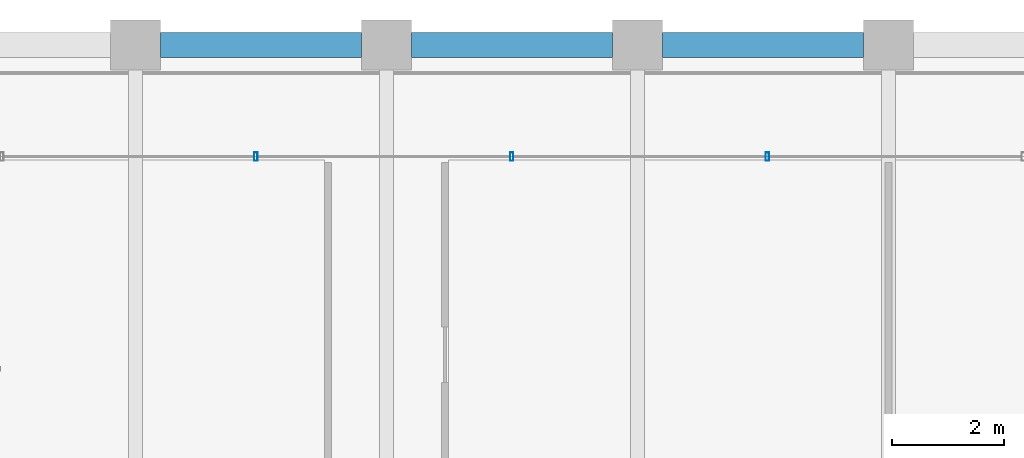
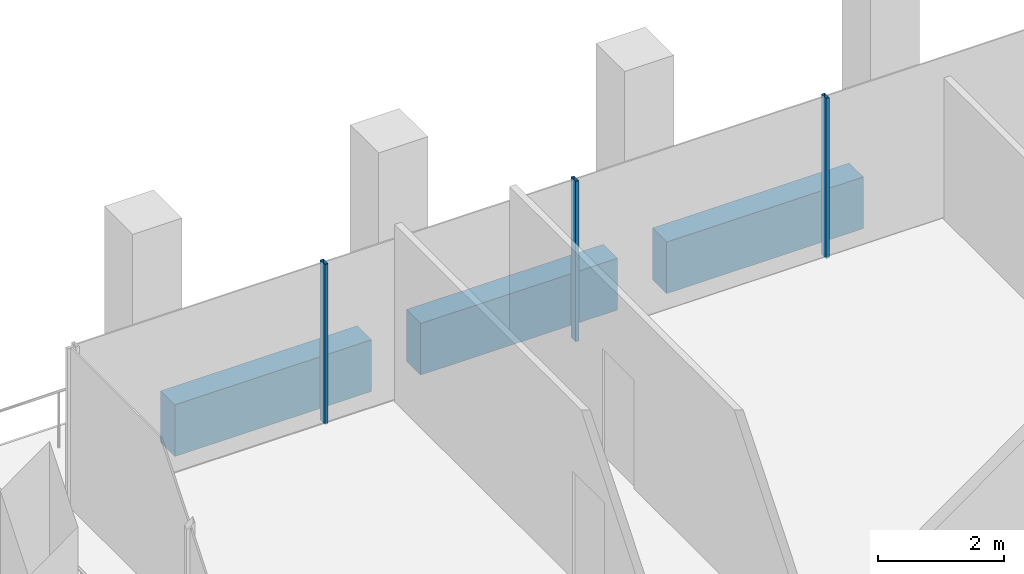
# One storey, part 23 of 40: 3 beams, 3 members, 1 element without a shape of its own.
"""IFC4 building model written with IfcOpenShell, lengths in metres."""

from ifc_helpers import new_model, si_unit, direction, frame, origin, origin_2d, place, context, subcontext, project, spatial, rectangle, hollow_rectangle, extrude, material, material_profile, profile_set, type_object, element, aggregate, save


model = new_model("IFC4")

# Units and contexts
model_context = context("Model", 3, precision=1e-05, world=origin(), true_north=direction((0.0, 1.0)))
body_context = subcontext(model_context, "Body", "Model", "MODEL_VIEW")
ifc_project = project(units=[si_unit("LENGTHUNIT", "METRE"), si_unit("AREAUNIT", "SQUARE_METRE"), si_unit("VOLUMEUNIT", "CUBIC_METRE"), si_unit("PLANEANGLEUNIT", "RADIAN"), si_unit("MASSUNIT", "GRAM", prefix="KILO")], contexts=[model_context])

# Site, building, storey
site_placement = place(None, origin())
site = spatial("IfcSite", under=ifc_project, at=site_placement, CompositionType="ELEMENT")
building_placement = place(site_placement, origin())
building = spatial("IfcBuilding", under=site, at=building_placement, Name="Altepetl Exchange Towers", CompositionType="ELEMENT")
storey_placement = place(building_placement, frame((0.0, 0.0, 183.39990234375)))
storey = spatial("IfcBuildingStorey", under=building, at=storey_placement, Name="L46", CompositionType="ELEMENT", Elevation=183.39990234375)

# Curtain wall, members
ifc_material_1 = material(Name="Aluminium 6063-T6 glazing", Category="aluminium")
curtain_wall_type = type_object("IfcCurtainWallType", Name="Loggia glazing system", PredefinedType="NOTDEFINED", material=ifc_material_1)
curtain_wall_placement = place(storey_placement, origin())
curtain_wall = element("IfcCurtainWall", 1, at=curtain_wall_placement, inside=storey, type_object=curtain_wall_type, Name="CW1 run", PredefinedType="NOTDEFINED")
ifc_material_2 = material(Name="Aluminium 6063-T6", Category="aluminium")
ifc_material_profile_1 = material_profile(ifc_material_2, hollow_rectangle(XDim=0.06005859375, YDim=0.14990234375, WallThickness=0.0029296875, at=origin_2d()), Name="Mullion 60x150 aluminium")
ifc_profile_set_1 = profile_set([ifc_material_profile_1], Name="Aluminium 6063-T6")
member_type = type_object("IfcMemberType", Name="Mullion 60x150 aluminium", PredefinedType="MULLION", material=ifc_profile_set_1)
member_1_placement = place(storey_placement, frame((56.330078125, 70.0, 0.0), z_axis=(0.0, 0.0, 1.0), x_axis=(-1.0, 0.0, 0.0)))
member_1 = element("IfcMember", 2, at=member_1_placement, type_object=member_type, Name="MU1 mullion", PredefinedType="MULLION", context=body_context, shape_type="SweptSolid", body=[
    extrude(hollow_rectangle(XDim=0.06005859375, YDim=0.14990234375, WallThickness=0.0029296875, at=origin_2d()), origin(), (0.0, 0.0, 1.0), 3.10009765625),
])
member_2_placement = place(storey_placement, frame((51.7451171875, 70.0, 0.0), z_axis=(0.0, 0.0, 1.0), x_axis=(-1.0, 0.0, 0.0)))
member_2 = element("IfcMember", 3, at=member_2_placement, type_object=member_type, Name="MU1 mullion", PredefinedType="MULLION", context=body_context, shape_type="SweptSolid", body=[
    extrude(hollow_rectangle(XDim=0.06005859375, YDim=0.14990234375, WallThickness=0.0029296875, at=origin_2d()), origin(), (0.0, 0.0, 1.0), 3.10009765625),
])
member_3_placement = place(storey_placement, frame((47.159912109375, 70.0, 0.0), z_axis=(0.0, 0.0, 1.0), x_axis=(-1.0, 0.0, 0.0)))
member_3 = element("IfcMember", 4, at=member_3_placement, type_object=member_type, Name="MU1 mullion", PredefinedType="MULLION", context=body_context, shape_type="SweptSolid", body=[
    extrude(hollow_rectangle(XDim=0.06005859375, YDim=0.14990234375, WallThickness=0.0029296875, at=origin_2d()), origin(), (0.0, 0.0, 1.0), 3.10009765625),
])
aggregate(curtain_wall, [member_1, member_2, member_3])

# Beams
ifc_material_3 = material(Name="Concrete C50/60 precast with cantera rosa facing", Category="concrete")
ifc_material_profile_2 = material_profile(ifc_material_3, rectangle(XDim=0.449951171875, YDim=1.0, at=origin_2d()), Name="450 x 1000")
ifc_profile_set_2 = profile_set([ifc_material_profile_2], Name="Concrete C50/60 precast with cantera rosa facing")
beam_type = type_object("IfcBeamType", Name="Spandrel beam 450x1000 cantera rosa", PredefinedType="SPANDREL", material=ifc_profile_set_2)
for number, where, z_axis, x_axis, name in (
    (5, (58.050048828125, 72.0, -0.64990234375), (-1.0, 0.0, 0.0), (0.0, -1.0, 0.0), "sp:A:L46:026"),
    (6, (53.550048828125, 72.0, -0.64990234375), (-1.0, 0.0, 0.0), (0.0, -1.0, 0.0), "sp:A:L46:027"),
    (7, (49.050048828125, 72.0, -0.64990234375), (-1.0, 0.0, 0.0), (0.0, -1.0, 0.0), "sp:A:L46:028"),
):
    element("IfcBeam", number, at=place(storey_placement, frame(where, z_axis=z_axis, x_axis=x_axis)), inside=storey, type_object=beam_type, Name=name, PredefinedType="SPANDREL", context=body_context, shape_type="SweptSolid", body=[
        extrude(rectangle(XDim=0.449951171875, YDim=1.0, at=origin_2d()), origin(), (0.0, 0.0, 1.0), 3.60009765625),
    ])

save(model, "model.ifc")
